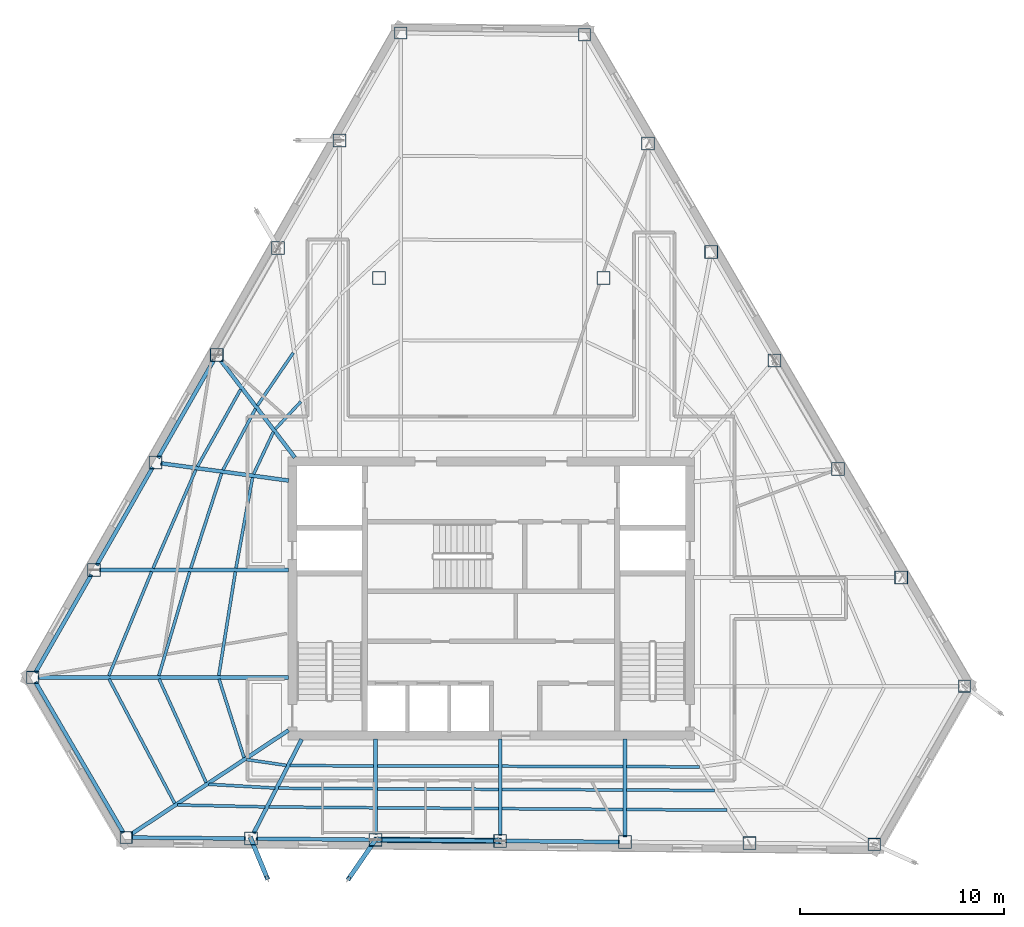
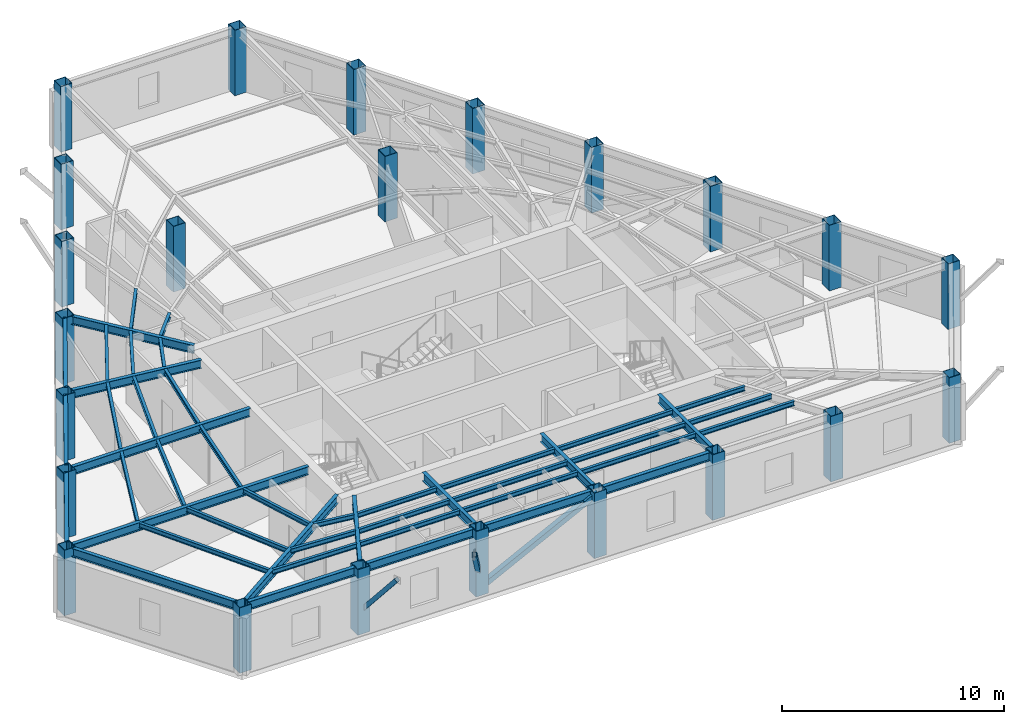
# One storey, part 1 of 10: 46 beams, 23 columns, 3 members.
"""IFC4 building model written with IfcOpenShell, lengths in metres."""

from ifc_helpers import new_model, si_unit, direction, frame, origin, origin_2d, place, context, subcontext, project, spatial, hollow_rectangle, i_section, extrude, material, material_profile, profile_set, type_object, element, save


model = new_model("IFC4")

# Units and contexts
model_context = context("Model", 3, precision=1e-05, world=origin(), true_north=direction((0.0, 1.0)))
body_context = subcontext(model_context, "Body", "Model", "MODEL_VIEW")
ifc_project = project(units=[si_unit("LENGTHUNIT", "METRE"), si_unit("AREAUNIT", "SQUARE_METRE"), si_unit("VOLUMEUNIT", "CUBIC_METRE"), si_unit("PLANEANGLEUNIT", "RADIAN"), si_unit("MASSUNIT", "GRAM", prefix="KILO")], contexts=[model_context])

# Site, building, storey
site_placement = place(None, origin())
site = spatial("IfcSite", under=ifc_project, at=site_placement, CompositionType="ELEMENT")
building_placement = place(site_placement, origin())
building = spatial("IfcBuilding", under=site, at=building_placement, Name="Kavelnor Concourse Tower", CompositionType="ELEMENT")
storey_placement = place(building_placement, frame((0.0, 0.0, 188.10009765625)))
storey = spatial("IfcBuildingStorey", under=building, at=storey_placement, Name="L47", CompositionType="ELEMENT", Elevation=188.10009765625)

# Columns
ifc_material = material(Name="Steel Grade 350", Category="steel")
ifc_material_profile_1 = material_profile(ifc_material, hollow_rectangle(XDim=0.60009765625, YDim=0.60009765625, WallThickness=0.028076171875, at=origin_2d()), Name="SHS 600x600x28")
ifc_profile_set_1 = profile_set([ifc_material_profile_1], Name="Steel Grade 350")
column_type_1 = type_object("IfcColumnType", Name="COL-FOLD-Z3", PredefinedType="COLUMN", material=ifc_profile_set_1)
for number, where, z_axis, x_axis, name in (
    (1, (33.572265625, 43.81005859375, 0.0), (0.0, 0.0, 1.0), (1.0, 0.0, 0.0), "L47 Perimeter Corner-Fold Column F0-B0"),
    (2, (15.53515625, 12.23291015625, 0.0), (0.0, 0.0, 1.0), (1.0, 0.0, 0.0), "L47 Perimeter Corner-Fold Column F0-B6"),
    (3, (20.11474609375, 4.38330078125, 0.0), (0.0, 0.0, 1.0), (1.0, 0.0, 0.0), "L47 Perimeter Corner-Fold Column F1-B0"),
    (4, (56.77978515625, 4.04736328125, 0.0), (0.0, 0.0, 1.0), (1.0, 0.0, 0.0), "L47 Perimeter Corner-Fold Column F1-B6"),
    (5, (61.207763671875, 11.799072265625, 0.0), (0.0, 0.0, 1.0), (1.0, 0.0, 0.0), "L47 Perimeter Corner-Fold Column F2-B0"),
    (6, (42.57958984375, 43.727294921875, 0.0), (0.0, 0.0, 1.0), (1.0, 0.0, 0.0), "L47 Perimeter Corner-Fold Column F2-B6"),
):
    element("IfcColumn", number, at=place(storey_placement, frame(where, z_axis=z_axis, x_axis=x_axis)), inside=storey, type_object=column_type_1, Name=name, PredefinedType="COLUMN", context=body_context, shape_type="SweptSolid", body=[
        extrude(hollow_rectangle(XDim=0.60009765625, YDim=0.60009765625, WallThickness=0.028076171875, at=origin_2d()), origin(), (0.0, 0.0, 1.0), 3.599853515625),
    ])
ifc_material_profile_2 = material_profile(ifc_material, hollow_rectangle(XDim=0.639892578125, YDim=0.639892578125, WallThickness=0.028076171875, at=origin_2d()), Name="SHS 640x640x28")
ifc_profile_set_2 = profile_set([ifc_material_profile_2], Name="Steel Grade 350")
column_type_2 = type_object("IfcColumnType", Name="COL-TUBE-Z3", PredefinedType="COLUMN", material=ifc_profile_set_2)
for number, where, z_axis, x_axis, name in (
    (7, (30.56591796875, 38.547119140625, 0.0), (0.0, 0.0, 1.0), (1.0, 0.0, 0.0), "L47 Perimeter Framed-Tube Column F0-B1"),
    (8, (27.559814453125, 33.2841796875, 0.0), (0.0, 0.0, 1.0), (1.0, 0.0, 0.0), "L47 Perimeter Framed-Tube Column F0-B2"),
    (9, (24.5537109375, 28.021484375, 0.0), (0.0, 0.0, 1.0), (1.0, 0.0, 0.0), "L47 Perimeter Framed-Tube Column F0-B3"),
    (10, (21.547607421875, 22.758544921875, 0.0), (0.0, 0.0, 1.0), (1.0, 0.0, 0.0), "L47 Perimeter Framed-Tube Column F0-B4"),
    (11, (18.54150390625, 17.495849609375, 0.0), (0.0, 0.0, 1.0), (1.0, 0.0, 0.0), "L47 Perimeter Framed-Tube Column F0-B5"),
    (12, (26.2255859375, 4.327392578125, 0.0), (0.0, 0.0, 1.0), (1.0, 0.0, 0.0), "L47 Perimeter Framed-Tube Column F1-B1"),
    (13, (32.33642578125, 4.271484375, 0.0), (0.0, 0.0, 1.0), (1.0, 0.0, 0.0), "L47 Perimeter Framed-Tube Column F1-B2"),
    (14, (38.447509765625, 4.21533203125, 0.0), (0.0, 0.0, 1.0), (1.0, 0.0, 0.0), "L47 Perimeter Framed-Tube Column F1-B3"),
    (15, (44.55810546875, 4.1591796875, 0.0), (0.0, 0.0, 1.0), (1.0, 0.0, 0.0), "L47 Perimeter Framed-Tube Column F1-B4"),
    (16, (50.6689453125, 4.103271484375, 0.0), (0.0, 0.0, 1.0), (1.0, 0.0, 0.0), "L47 Perimeter Framed-Tube Column F1-B5"),
    (17, (58.10302734375, 17.120361328125, 0.0), (0.0, 0.0, 1.0), (1.0, 0.0, 0.0), "L47 Perimeter Framed-Tube Column F2-B1"),
    (18, (54.998291015625, 22.44189453125, 0.0), (0.0, 0.0, 1.0), (1.0, 0.0, 0.0), "L47 Perimeter Framed-Tube Column F2-B2"),
    (19, (51.893798828125, 27.76318359375, 0.0), (0.0, 0.0, 1.0), (1.0, 0.0, 0.0), "L47 Perimeter Framed-Tube Column F2-B3"),
    (20, (48.7890625, 33.084716796875, 0.0), (0.0, 0.0, 1.0), (1.0, 0.0, 0.0), "L47 Perimeter Framed-Tube Column F2-B4"),
    (21, (45.684326171875, 38.406005859375, 0.0), (0.0, 0.0, 1.0), (1.0, 0.0, 0.0), "L47 Perimeter Framed-Tube Column F2-B5"),
    (22, (32.5, 31.800048828125, 0.0), (0.0, 0.0, 1.0), (1.0, 0.0, 0.0), "L47 North Interior Gravity Column BC-NW"),
    (23, (43.5, 31.800048828125, 0.0), (0.0, 0.0, 1.0), (1.0, 0.0, 0.0), "L47 North Interior Gravity Column BC-NE"),
):
    element("IfcColumn", number, at=place(storey_placement, frame(where, z_axis=z_axis, x_axis=x_axis)), inside=storey, type_object=column_type_2, Name=name, PredefinedType="COLUMN", context=body_context, shape_type="SweptSolid", body=[
        extrude(hollow_rectangle(XDim=0.639892578125, YDim=0.639892578125, WallThickness=0.028076171875, at=origin_2d()), origin(), (0.0, 0.0, 1.0), 3.599853515625),
    ])

# Beams
ifc_material_profile_3 = material_profile(ifc_material, i_section(OverallWidth=0.14599609375, OverallDepth=0.256103515625, WebThickness=0.00634765625, FlangeThickness=0.010986328125, at=origin_2d()), Name="250UB37")
ifc_profile_set_3 = profile_set([ifc_material_profile_3], Name="Steel Grade 350")
beam_type_1 = type_object("IfcBeamType", Name="BM-JOIST-250", PredefinedType="JOIST", material=ifc_profile_set_3)
beam_1_placement = place(storey_placement, frame((24.667236328125, 12.148193359375, 3.471923828125), z_axis=(0.303430728848, -0.952853500173, 0.0), x_axis=(0.952853500173, 0.303430728848, 0.0)))
element("IfcBeam", 24, at=beam_1_placement, inside=storey, type_object=beam_type_1, Name="L47 Secondary Composite Joist 01-1", PredefinedType="JOIST", context=body_context, shape_type="SweptSolid", body=[
    extrude(i_section(OverallWidth=0.14599609375, OverallDepth=0.256103515625, WebThickness=0.00634765625, FlangeThickness=0.010986328125, at=origin_2d()), origin(), (0.0, 0.0, 1.0), 4.038330078125),
])
beam_2_placement = place(storey_placement, frame((21.728759765625, 12.15185546875, 3.471923828125), z_axis=(0.414027324102, -0.910264453275, 0.0), x_axis=(0.910264453275, 0.414027324102, 0.0)))
element("IfcBeam", 25, at=beam_2_placement, inside=storey, type_object=beam_type_1, Name="L47 Secondary Composite Joist 01-2", PredefinedType="JOIST", context=body_context, shape_type="SweptSolid", body=[
    extrude(i_section(OverallWidth=0.14599609375, OverallDepth=0.256103515625, WebThickness=0.00634765625, FlangeThickness=0.010986328125, at=origin_2d()), origin(), (0.0, 0.0, 1.0), 5.57421875),
])
beam_3_placement = place(storey_placement, frame((19.276611328125, 12.154296875, 3.471923828125), z_axis=(0.466816344471, -0.884354284512, 0.0), x_axis=(0.884354284512, 0.466816344471, 0.0)))
element("IfcBeam", 26, at=beam_3_placement, inside=storey, type_object=beam_type_1, Name="L47 Secondary Composite Joist 01-3", PredefinedType="JOIST", context=body_context, shape_type="SweptSolid", body=[
    extrude(i_section(OverallWidth=0.14599609375, OverallDepth=0.256103515625, WebThickness=0.00634765625, FlangeThickness=0.010986328125, at=origin_2d()), origin(), (0.0, 0.0, 1.0), 6.891357421875),
])
beam_4_placement = place(storey_placement, frame((26.0078125, 8.202880859375, 3.471923828125), z_axis=(0.989673790529, -0.143338021263, 0.0), x_axis=(0.143338021263, 0.989673790529, 0.0)))
element("IfcBeam", 27, at=beam_4_placement, inside=storey, type_object=beam_type_1, Name="L47 Secondary Composite Joist 02-1", PredefinedType="JOIST", context=body_context, shape_type="SweptSolid", body=[
    extrude(i_section(OverallWidth=0.14599609375, OverallDepth=0.256103515625, WebThickness=0.00634765625, FlangeThickness=0.010986328125, at=origin_2d()), origin(), (0.0, 0.0, 1.0), 1.979248046875),
])
beam_5_placement = place(storey_placement, frame((24.162353515625, 6.99169921875, 3.471923828125), z_axis=(0.998371579355, -0.057045504082, 0.0), x_axis=(0.057045504082, 0.998371579355, 0.0)))
element("IfcBeam", 28, at=beam_5_placement, inside=storey, type_object=beam_type_1, Name="L47 Secondary Composite Joist 02-2", PredefinedType="JOIST", context=body_context, shape_type="SweptSolid", body=[
    extrude(i_section(OverallWidth=0.14599609375, OverallDepth=0.256103515625, WebThickness=0.00634765625, FlangeThickness=0.010986328125, at=origin_2d()), origin(), (0.0, 0.0, 1.0), 3.244140625),
])
beam_6_placement = place(storey_placement, frame((22.6240234375, 5.979248046875, 3.471923828125), z_axis=(0.999749358505, -0.02238794697, 0.0), x_axis=(0.02238794697, 0.999749358505, 0.0)))
element("IfcBeam", 29, at=beam_6_placement, inside=storey, type_object=beam_type_1, Name="L47 Secondary Composite Joist 02-3", PredefinedType="JOIST", context=body_context, shape_type="SweptSolid", body=[
    extrude(i_section(OverallWidth=0.14599609375, OverallDepth=0.256103515625, WebThickness=0.00634765625, FlangeThickness=0.010986328125, at=origin_2d()), origin(), (0.0, 0.0, 1.0), 4.307373046875),
])
beam_7_placement = place(storey_placement, frame((28.1435546875, 7.90625, 3.471923828125), z_axis=(0.999994840368, -0.003212357012, 0.0), x_axis=(0.003212357012, 0.999994840368, 0.0)))
element("IfcBeam", 30, at=beam_7_placement, inside=storey, type_object=beam_type_1, Name="L47 Secondary Composite Joist 03-1", PredefinedType="JOIST", context=body_context, shape_type="SweptSolid", body=[
    extrude(i_section(OverallWidth=0.14599609375, OverallDepth=0.256103515625, WebThickness=0.00634765625, FlangeThickness=0.010986328125, at=origin_2d()), origin(), (0.0, 0.0, 1.0), 4.10400390625),
])
beam_8_placement = place(storey_placement, frame((27.5791015625, 6.801025390625, 3.471923828125), z_axis=(0.999981916301, -0.006013906515, 0.0), x_axis=(0.006013906515, 0.999981916301, 0.0)))
element("IfcBeam", 31, at=beam_8_placement, inside=storey, type_object=beam_type_1, Name="L47 Secondary Composite Joist 03-2", PredefinedType="JOIST", context=body_context, shape_type="SweptSolid", body=[
    extrude(i_section(OverallWidth=0.14599609375, OverallDepth=0.256103515625, WebThickness=0.00634765625, FlangeThickness=0.010986328125, at=origin_2d()), origin(), (0.0, 0.0, 1.0), 4.66845703125),
])
beam_9_placement = place(storey_placement, frame((27.1083984375, 5.880126953125, 3.471923828125), z_axis=(0.99996853134, -0.00793324203, 0.0), x_axis=(0.00793324203, 0.99996853134, 0.0)))
element("IfcBeam", 32, at=beam_9_placement, inside=storey, type_object=beam_type_1, Name="L47 Secondary Composite Joist 03-3", PredefinedType="JOIST", context=body_context, shape_type="SweptSolid", body=[
    extrude(i_section(OverallWidth=0.14599609375, OverallDepth=0.256103515625, WebThickness=0.00634765625, FlangeThickness=0.010986328125, at=origin_2d()), origin(), (0.0, 0.0, 1.0), 5.139404296875),
])
for number, where, z_axis, x_axis, name in (
    (33, (32.425537109375, 7.892578125, 3.471923828125), (0.999996639525, -0.002592477194, 0.0), (0.002592477194, 0.999996639525, 0.0), "L47 Secondary Composite Joist 04-1"),
    (34, (32.425537109375, 6.77197265625, 3.471923828125), (0.999988607205, -0.004773411729, 0.0), (0.004773411729, 0.999988607205, 0.0), "L47 Secondary Composite Joist 04-2"),
):
    element("IfcBeam", number, at=place(storey_placement, frame(where, z_axis=z_axis, x_axis=x_axis)), inside=storey, type_object=beam_type_1, Name=name, PredefinedType="JOIST", context=body_context, shape_type="SweptSolid", body=[
        extrude(i_section(OverallWidth=0.14599609375, OverallDepth=0.256103515625, WebThickness=0.00634765625, FlangeThickness=0.010986328125, at=origin_2d()), origin(), (0.0, 0.0, 1.0), 5.932861328125),
    ])
beam_10_placement = place(storey_placement, frame((32.425537109375, 5.837890625, 3.471923828125), z_axis=(0.999978325576, -0.006583948483, 0.0), x_axis=(0.006583948483, 0.999978325576, 0.0)))
element("IfcBeam", 35, at=beam_10_placement, inside=storey, type_object=beam_type_1, Name="L47 Secondary Composite Joist 04-3", PredefinedType="JOIST", context=body_context, shape_type="SweptSolid", body=[
    extrude(i_section(OverallWidth=0.14599609375, OverallDepth=0.256103515625, WebThickness=0.00634765625, FlangeThickness=0.010986328125, at=origin_2d()), origin(), (0.0, 0.0, 1.0), 5.93310546875),
])
for number, where, z_axis, x_axis, name in (
    (36, (38.536376953125, 7.876953125, 3.471923828125), (0.999996639525, -0.002592477194, 0.0), (0.002592477194, 0.999996639525, 0.0), "L47 Secondary Composite Joist 05-1"),
    (37, (38.536376953125, 6.74267578125, 3.471923828125), (0.999988802783, -0.004732262554, 0.0), (0.004732262554, 0.999988802783, 0.0), "L47 Secondary Composite Joist 05-2"),
):
    element("IfcBeam", number, at=place(storey_placement, frame(where, z_axis=z_axis, x_axis=x_axis)), inside=storey, type_object=beam_type_1, Name=name, PredefinedType="JOIST", context=body_context, shape_type="SweptSolid", body=[
        extrude(i_section(OverallWidth=0.14599609375, OverallDepth=0.256103515625, WebThickness=0.00634765625, FlangeThickness=0.010986328125, at=origin_2d()), origin(), (0.0, 0.0, 1.0), 5.932861328125),
    ])
beam_11_placement = place(storey_placement, frame((38.536376953125, 5.797607421875, 3.471923828125), z_axis=(0.999978325576, -0.006583948483, 0.0), x_axis=(0.006583948483, 0.999978325576, 0.0)))
element("IfcBeam", 38, at=beam_11_placement, inside=storey, type_object=beam_type_1, Name="L47 Secondary Composite Joist 05-3", PredefinedType="JOIST", context=body_context, shape_type="SweptSolid", body=[
    extrude(i_section(OverallWidth=0.14599609375, OverallDepth=0.256103515625, WebThickness=0.00634765625, FlangeThickness=0.010986328125, at=origin_2d()), origin(), (0.0, 0.0, 1.0), 5.93310546875),
])
beam_12_placement = place(storey_placement, frame((44.647216796875, 7.861083984375, 3.471923828125), z_axis=(0.999987848666, -0.004929758651, 0.0), x_axis=(0.004929758651, 0.999987848666, 0.0)))
element("IfcBeam", 39, at=beam_12_placement, inside=storey, type_object=beam_type_1, Name="L47 Secondary Composite Joist 06-1", PredefinedType="JOIST", context=body_context, shape_type="SweptSolid", body=[
    extrude(i_section(OverallWidth=0.14599609375, OverallDepth=0.256103515625, WebThickness=0.00634765625, FlangeThickness=0.010986328125, at=origin_2d()), origin(), (0.0, 0.0, 1.0), 3.565673828125),
])
beam_13_placement = place(storey_placement, frame((44.647216796875, 6.71337890625, 3.471923828125), z_axis=(0.999979405903, -0.0064177698, 0.0), x_axis=(0.0064177698, 0.999979405903, 0.0)))
element("IfcBeam", 40, at=beam_13_placement, inside=storey, type_object=beam_type_1, Name="L47 Secondary Composite Joist 06-2", PredefinedType="JOIST", context=body_context, shape_type="SweptSolid", body=[
    extrude(i_section(OverallWidth=0.14599609375, OverallDepth=0.256103515625, WebThickness=0.00634765625, FlangeThickness=0.010986328125, at=origin_2d()), origin(), (0.0, 0.0, 1.0), 4.298583984375),
])
beam_14_placement = place(storey_placement, frame((44.647216796875, 5.757080078125, 3.471923828125), z_axis=(0.999972914426, -0.007360055268, 0.0), x_axis=(0.007360055268, 0.999972914426, 0.0)))
element("IfcBeam", 41, at=beam_14_placement, inside=storey, type_object=beam_type_1, Name="L47 Secondary Composite Joist 06-3", PredefinedType="JOIST", context=body_context, shape_type="SweptSolid", body=[
    extrude(i_section(OverallWidth=0.14599609375, OverallDepth=0.256103515625, WebThickness=0.00634765625, FlangeThickness=0.010986328125, at=origin_2d()), origin(), (0.0, 0.0, 1.0), 4.909423828125),
])
beam_15_placement = place(storey_placement, frame((28.674072265625, 25.741943359375, 3.471923828125), z_axis=(-0.681167142073, -0.732127942753, 0.0), x_axis=(0.732127942753, -0.681167142073, 0.0)))
element("IfcBeam", 42, at=beam_15_placement, inside=storey, type_object=beam_type_1, Name="L47 Secondary Composite Joist 18-1", PredefinedType="JOIST", context=body_context, shape_type="SweptSolid", body=[
    extrude(i_section(OverallWidth=0.14599609375, OverallDepth=0.256103515625, WebThickness=0.00634765625, FlangeThickness=0.010986328125, at=origin_2d()), origin(), (0.0, 0.0, 1.0), 1.830078125),
])
beam_16_placement = place(storey_placement, frame((28.306640625, 28.138916015625, 3.471923828125), z_axis=(-0.561949486016, -0.827171551231, 0.0), x_axis=(0.827171551231, -0.561949486016, 0.0)))
element("IfcBeam", 43, at=beam_16_placement, inside=storey, type_object=beam_type_1, Name="L47 Secondary Composite Joist 18-2", PredefinedType="JOIST", context=body_context, shape_type="SweptSolid", body=[
    extrude(i_section(OverallWidth=0.14599609375, OverallDepth=0.256103515625, WebThickness=0.00634765625, FlangeThickness=0.010986328125, at=origin_2d()), origin(), (0.0, 0.0, 1.0), 3.130615234375),
])
beam_17_placement = place(storey_placement, frame((27.3291015625, 24.25634765625, 3.471923828125), z_axis=(-0.42474406408, -0.905313470588, 0.0), x_axis=(0.905313470588, -0.42474406408, 0.0)))
element("IfcBeam", 44, at=beam_17_placement, inside=storey, type_object=beam_type_1, Name="L47 Secondary Composite Joist 19-1", PredefinedType="JOIST", context=body_context, shape_type="SweptSolid", body=[
    extrude(i_section(OverallWidth=0.14599609375, OverallDepth=0.256103515625, WebThickness=0.00634765625, FlangeThickness=0.010986328125, at=origin_2d()), origin(), (0.0, 0.0, 1.0), 2.278564453125),
])
beam_18_placement = place(storey_placement, frame((26.45556640625, 25.397216796875, 3.471923828125), z_axis=(-0.46927948081, -0.88304969786, 0.0), x_axis=(0.88304969786, -0.46927948081, 0.0)))
element("IfcBeam", 45, at=beam_18_placement, inside=storey, type_object=beam_type_1, Name="L47 Secondary Composite Joist 19-2", PredefinedType="JOIST", context=body_context, shape_type="SweptSolid", body=[
    extrude(i_section(OverallWidth=0.14599609375, OverallDepth=0.256103515625, WebThickness=0.00634765625, FlangeThickness=0.010986328125, at=origin_2d()), origin(), (0.0, 0.0, 1.0), 3.39990234375),
])
beam_19_placement = place(storey_placement, frame((25.729248046875, 26.346923828125, 3.471923828125), z_axis=(-0.489170569089, -0.872188141594, 0.0), x_axis=(0.872188141594, -0.489170569089, 0.0)))
element("IfcBeam", 46, at=beam_19_placement, inside=storey, type_object=beam_type_1, Name="L47 Secondary Composite Joist 19-3", PredefinedType="JOIST", context=body_context, shape_type="SweptSolid", body=[
    extrude(i_section(OverallWidth=0.14599609375, OverallDepth=0.256103515625, WebThickness=0.00634765625, FlangeThickness=0.010986328125, at=origin_2d()), origin(), (0.0, 0.0, 1.0), 4.337646484375),
])
beam_20_placement = place(storey_placement, frame((26.3076171875, 22.025390625, 3.471923828125), z_axis=(-0.179304158852, -0.983793687019, 0.0), x_axis=(0.983793687019, -0.179304158852, 0.0)))
element("IfcBeam", 47, at=beam_20_placement, inside=storey, type_object=beam_type_1, Name="L47 Secondary Composite Joist 20-1", PredefinedType="JOIST", context=body_context, shape_type="SweptSolid", body=[
    extrude(i_section(OverallWidth=0.14599609375, OverallDepth=0.256103515625, WebThickness=0.00634765625, FlangeThickness=0.010986328125, at=origin_2d()), origin(), (0.0, 0.0, 1.0), 4.51513671875),
])
beam_21_placement = place(storey_placement, frame((24.791015625, 22.231689453125, 3.471923828125), z_axis=(-0.308472950673, -0.951233114806, 0.0), x_axis=(0.951233114806, -0.308472950673, 0.0)))
element("IfcBeam", 48, at=beam_21_placement, inside=storey, type_object=beam_type_1, Name="L47 Secondary Composite Joist 20-2", PredefinedType="JOIST", context=body_context, shape_type="SweptSolid", body=[
    extrude(i_section(OverallWidth=0.14599609375, OverallDepth=0.256103515625, WebThickness=0.00634765625, FlangeThickness=0.010986328125, at=origin_2d()), origin(), (0.0, 0.0, 1.0), 4.8896484375),
])
beam_22_placement = place(storey_placement, frame((23.528564453125, 22.404296875, 3.471923828125), z_axis=(-0.397942077318, -0.917410542287, 0.0), x_axis=(0.917410542287, -0.397942077318, 0.0)))
element("IfcBeam", 49, at=beam_22_placement, inside=storey, type_object=beam_type_1, Name="L47 Secondary Composite Joist 20-3", PredefinedType="JOIST", context=body_context, shape_type="SweptSolid", body=[
    extrude(i_section(OverallWidth=0.14599609375, OverallDepth=0.256103515625, WebThickness=0.00634765625, FlangeThickness=0.010986328125, at=origin_2d()), origin(), (0.0, 0.0, 1.0), 5.261474609375),
])
beam_23_placement = place(storey_placement, frame((25.468017578125, 17.407958984375, 3.471923828125), z_axis=(-0.157947991205, -0.987447432563, 0.0), x_axis=(0.987447432563, -0.157947991205, 0.0)))
element("IfcBeam", 50, at=beam_23_placement, inside=storey, type_object=beam_type_1, Name="L47 Secondary Composite Joist 21-1", PredefinedType="JOIST", context=body_context, shape_type="SweptSolid", body=[
    extrude(i_section(OverallWidth=0.14599609375, OverallDepth=0.256103515625, WebThickness=0.00634765625, FlangeThickness=0.010986328125, at=origin_2d()), origin(), (0.0, 0.0, 1.0), 5.15185546875),
])
beam_24_placement = place(storey_placement, frame((23.229736328125, 17.410400390625, 3.471923828125), z_axis=(-0.284715756442, -0.958611985129, 0.0), x_axis=(0.958611985129, -0.284715756442, 0.0)))
element("IfcBeam", 51, at=beam_24_placement, inside=storey, type_object=beam_type_1, Name="L47 Secondary Composite Joist 21-2", PredefinedType="JOIST", context=body_context, shape_type="SweptSolid", body=[
    extrude(i_section(OverallWidth=0.14599609375, OverallDepth=0.256103515625, WebThickness=0.00634765625, FlangeThickness=0.010986328125, at=origin_2d()), origin(), (0.0, 0.0, 1.0), 5.312255859375),
])
beam_25_placement = place(storey_placement, frame((21.365478515625, 17.41357421875, 3.471923828125), z_axis=(-0.380337687694, -0.924847686552, 0.0), x_axis=(0.924847686552, -0.380337687694, 0.0)))
element("IfcBeam", 52, at=beam_25_placement, inside=storey, type_object=beam_type_1, Name="L47 Secondary Composite Joist 21-3", PredefinedType="JOIST", context=body_context, shape_type="SweptSolid", body=[
    extrude(i_section(OverallWidth=0.14599609375, OverallDepth=0.256103515625, WebThickness=0.00634765625, FlangeThickness=0.010986328125, at=origin_2d()), origin(), (0.0, 0.0, 1.0), 5.5126953125),
])
ifc_material_profile_4 = material_profile(ifc_material, i_section(OverallWidth=0.18994140625, OverallDepth=0.4541015625, WebThickness=0.008544921875, FlangeThickness=0.0126953125, at=origin_2d()), Name="460UB67")
ifc_profile_set_4 = profile_set([ifc_material_profile_4], Name="Steel Grade 350")
beam_type_2 = type_object("IfcBeamType", Name="BM-PRIMARY-460", PredefinedType="BEAM", material=ifc_profile_set_4)
beam_26_placement = place(storey_placement, frame((28.381103515625, 23.00830078125, 3.372802734375), z_axis=(-0.606809330939, 0.794847429313, 0.0), x_axis=(-0.794847429313, -0.606809330939, 0.0)))
element("IfcBeam", 53, at=beam_26_placement, inside=storey, type_object=beam_type_2, Name="L47 Primary Floor Girder F0-B3", PredefinedType="BEAM", context=body_context, shape_type="SweptSolid", body=[
    extrude(i_section(OverallWidth=0.18994140625, OverallDepth=0.4541015625, WebThickness=0.008544921875, FlangeThickness=0.0126953125, at=origin_2d()), origin(), (0.0, 0.0, 1.0), 5.9697265625),
])
beam_27_placement = place(storey_placement, frame((28.07958984375, 21.875732421875, 3.372802734375), z_axis=(-0.990989801266, 0.133937350228, 0.0), x_axis=(-0.133937350228, -0.990989801266, 0.0)))
element("IfcBeam", 54, at=beam_27_placement, inside=storey, type_object=beam_type_2, Name="L47 Primary Floor Girder F0-B4", PredefinedType="BEAM", context=body_context, shape_type="SweptSolid", body=[
    extrude(i_section(OverallWidth=0.18994140625, OverallDepth=0.4541015625, WebThickness=0.008544921875, FlangeThickness=0.0126953125, at=origin_2d()), origin(), (0.0, 0.0, 1.0), 6.328857421875),
])
beam_28_placement = place(storey_placement, frame((28.080078125, 17.495849609375, 3.372802734375), z_axis=(-1.0, 0.0, 0.0), x_axis=(0.0, -1.0, 0.0)))
element("IfcBeam", 55, at=beam_28_placement, inside=storey, type_object=beam_type_2, Name="L47 Primary Floor Girder F0-B5", PredefinedType="BEAM", context=body_context, shape_type="SweptSolid", body=[
    extrude(i_section(OverallWidth=0.18994140625, OverallDepth=0.4541015625, WebThickness=0.008544921875, FlangeThickness=0.0126953125, at=origin_2d()), origin(), (0.0, 0.0, 1.0), 9.278564453125),
])
beam_29_placement = place(storey_placement, frame((28.080078125, 12.23291015625, 3.372802734375), z_axis=(-1.0, 0.0, 0.0), x_axis=(0.0, -1.0, 0.0)))
element("IfcBeam", 56, at=beam_29_placement, inside=storey, type_object=beam_type_2, Name="L47 Primary Floor Girder F0-B6", PredefinedType="BEAM", context=body_context, shape_type="SweptSolid", body=[
    extrude(i_section(OverallWidth=0.18994140625, OverallDepth=0.4541015625, WebThickness=0.008544921875, FlangeThickness=0.0126953125, at=origin_2d()), origin(), (0.0, 0.0, 1.0), 12.284912109375),
])
beam_30_placement = place(storey_placement, frame((28.073486328125, 9.637451171875, 3.372802734375), z_axis=(-0.834543886542, -0.550941468248, 0.0), x_axis=(0.550941468248, -0.834543886542, 0.0)))
element("IfcBeam", 57, at=beam_30_placement, inside=storey, type_object=beam_type_2, Name="L47 Primary Floor Girder F1-B0", PredefinedType="BEAM", context=body_context, shape_type="SweptSolid", body=[
    extrude(i_section(OverallWidth=0.18994140625, OverallDepth=0.4541015625, WebThickness=0.008544921875, FlangeThickness=0.0126953125, at=origin_2d()), origin(), (0.0, 0.0, 1.0), 9.21728515625),
])
beam_31_placement = place(storey_placement, frame((28.71337890625, 9.195556640625, 3.372802734375), z_axis=(-0.455072786725, -0.890454242947, 0.0), x_axis=(0.890454242947, -0.455072786725, 0.0)))
element("IfcBeam", 58, at=beam_31_placement, inside=storey, type_object=beam_type_2, Name="L47 Primary Floor Girder F1-B1", PredefinedType="BEAM", context=body_context, shape_type="SweptSolid", body=[
    extrude(i_section(OverallWidth=0.18994140625, OverallDepth=0.4541015625, WebThickness=0.008544921875, FlangeThickness=0.0126953125, at=origin_2d()), origin(), (0.0, 0.0, 1.0), 5.170166015625),
])
beam_32_placement = place(storey_placement, frame((32.33642578125, 9.199951171875, 3.372802734375), z_axis=(0.0, -1.0, 0.0), x_axis=(1.0, 0.0, 0.0)))
element("IfcBeam", 59, at=beam_32_placement, inside=storey, type_object=beam_type_2, Name="L47 Primary Floor Girder F1-B2", PredefinedType="BEAM", context=body_context, shape_type="SweptSolid", body=[
    extrude(i_section(OverallWidth=0.18994140625, OverallDepth=0.4541015625, WebThickness=0.008544921875, FlangeThickness=0.0126953125, at=origin_2d()), origin(), (0.0, 0.0, 1.0), 4.66845703125),
])
beam_33_placement = place(storey_placement, frame((38.447509765625, 9.199951171875, 3.372802734375), z_axis=(0.0, -1.0, 0.0), x_axis=(1.0, 0.0, 0.0)))
element("IfcBeam", 60, at=beam_33_placement, inside=storey, type_object=beam_type_2, Name="L47 Primary Floor Girder F1-B3", PredefinedType="BEAM", context=body_context, shape_type="SweptSolid", body=[
    extrude(i_section(OverallWidth=0.18994140625, OverallDepth=0.4541015625, WebThickness=0.008544921875, FlangeThickness=0.0126953125, at=origin_2d()), origin(), (0.0, 0.0, 1.0), 4.724609375),
])
beam_34_placement = place(storey_placement, frame((44.55810546875, 9.199951171875, 3.372802734375), z_axis=(0.0, -1.0, 0.0), x_axis=(1.0, 0.0, 0.0)))
element("IfcBeam", 61, at=beam_34_placement, inside=storey, type_object=beam_type_2, Name="L47 Primary Floor Girder F1-B4", PredefinedType="BEAM", context=body_context, shape_type="SweptSolid", body=[
    extrude(i_section(OverallWidth=0.18994140625, OverallDepth=0.4541015625, WebThickness=0.008544921875, FlangeThickness=0.0126953125, at=origin_2d()), origin(), (0.0, 0.0, 1.0), 4.78076171875),
])
ifc_material_profile_5 = material_profile(ifc_material, i_section(OverallWidth=0.19091796875, OverallDepth=0.4599609375, WebThickness=0.010009765625, FlangeThickness=0.01611328125, at=origin_2d()), Name="460UB82")
ifc_profile_set_5 = profile_set([ifc_material_profile_5], Name="Steel Grade 350")
beam_type_3 = type_object("IfcBeamType", Name="BM-SPANDREL-Z3", PredefinedType="SPANDREL", material=ifc_profile_set_5)
for number, where, z_axis, x_axis, name in (
    (62, (24.42236328125, 27.79150390625, 3.369873046875), (-0.496001079516, -0.868321904088, 0.0), (0.868321904088, -0.496001079516, 0.0), "L47 Perimeter Tube Spandrel Beam F0-B3"),
    (63, (21.416015625, 22.528564453125, 3.369873046875), (-0.495967797623, -0.868340914457, 0.0), (0.868340914457, -0.495967797623, 0.0), "L47 Perimeter Tube Spandrel Beam F0-B4"),
    (64, (18.409912109375, 17.265625, 3.369873046875), (-0.496001079516, -0.868321904088, 0.0), (0.868321904088, -0.496001079516, 0.0), "L47 Perimeter Tube Spandrel Beam F0-B5"),
):
    element("IfcBeam", number, at=place(storey_placement, frame(where, z_axis=z_axis, x_axis=x_axis)), inside=storey, type_object=beam_type_3, Name=name, PredefinedType="SPANDREL", context=body_context, shape_type="SweptSolid", body=[
        extrude(i_section(OverallWidth=0.19091796875, OverallDepth=0.4599609375, WebThickness=0.010009765625, FlangeThickness=0.01611328125, at=origin_2d()), origin(), (0.0, 0.0, 1.0), 5.531005859375),
    ])
beam_35_placement = place(storey_placement, frame((20.3798828125, 4.381103515625, 3.369873046875), z_axis=(0.99995780445, -0.009186365936, 0.0), x_axis=(0.009186365936, 0.99995780445, 0.0)))
element("IfcBeam", 65, at=beam_35_placement, inside=storey, type_object=beam_type_3, Name="L47 Perimeter Tube Spandrel Beam F1-B0", PredefinedType="SPANDREL", context=body_context, shape_type="SweptSolid", body=[
    extrude(i_section(OverallWidth=0.19091796875, OverallDepth=0.4599609375, WebThickness=0.010009765625, FlangeThickness=0.01611328125, at=origin_2d()), origin(), (0.0, 0.0, 1.0), 5.5810546875),
])
beam_36_placement = place(storey_placement, frame((26.490478515625, 4.324951171875, 3.369873046875), z_axis=(0.999957808142, -0.009185964117, 0.0), x_axis=(0.009185964117, 0.999957808142, 0.0)))
element("IfcBeam", 66, at=beam_36_placement, inside=storey, type_object=beam_type_3, Name="L47 Perimeter Tube Spandrel Beam F1-B1", PredefinedType="SPANDREL", context=body_context, shape_type="SweptSolid", body=[
    extrude(i_section(OverallWidth=0.19091796875, OverallDepth=0.4599609375, WebThickness=0.010009765625, FlangeThickness=0.01611328125, at=origin_2d()), origin(), (0.0, 0.0, 1.0), 5.581298828125),
])
for number, where, z_axis, x_axis, name in (
    (67, (32.6015625, 4.26904296875, 3.369873046875), (0.99995780445, -0.009186365936, 0.0), (0.009186365936, 0.99995780445, 0.0), "L47 Perimeter Tube Spandrel Beam F1-B2"),
    (68, (38.71240234375, 4.212890625, 3.369873046875), (0.99995780445, -0.009186365936, 0.0), (0.009186365936, 0.99995780445, 0.0), "L47 Perimeter Tube Spandrel Beam F1-B3"),
):
    element("IfcBeam", number, at=place(storey_placement, frame(where, z_axis=z_axis, x_axis=x_axis)), inside=storey, type_object=beam_type_3, Name=name, PredefinedType="SPANDREL", context=body_context, shape_type="SweptSolid", body=[
        extrude(i_section(OverallWidth=0.19091796875, OverallDepth=0.4599609375, WebThickness=0.010009765625, FlangeThickness=0.01611328125, at=origin_2d()), origin(), (0.0, 0.0, 1.0), 5.5810546875),
    ])
beam_37_placement = place(storey_placement, frame((15.668701171875, 12.00390625, 3.369873046875), z_axis=(0.503934881631, -0.863741648339, 0.0), x_axis=(0.863741648339, 0.503934881631, 0.0)))
element("IfcBeam", 69, at=beam_37_placement, inside=storey, type_object=beam_type_3, Name="L47 Chamfer Facet Spandrel Beam C1", PredefinedType="SPANDREL", context=body_context, shape_type="SweptSolid", body=[
    extrude(i_section(OverallWidth=0.19091796875, OverallDepth=0.4599609375, WebThickness=0.010009765625, FlangeThickness=0.01611328125, at=origin_2d()), origin(), (0.0, 0.0, 1.0), 8.5576171875),
])

# Members
ifc_material_profile_6 = material_profile(ifc_material, hollow_rectangle(XDim=0.219970703125, YDim=0.219970703125, WallThickness=0.013916015625, at=origin_2d()), Name="SHS 220x220x14")
ifc_profile_set_6 = profile_set([ifc_material_profile_6], Name="Steel Grade 350")
member_type_1 = type_object("IfcMemberType", Name="MBR-BALC-STRUT-220", PredefinedType="STRUT", material=ifc_profile_set_6)
member_1_placement = place(storey_placement, frame((26.2255859375, 4.327392578125, 1.0498046875), z_axis=(0.239416140151, -0.577174362321, 0.780736618403), x_axis=(0.923685515019, 0.383151496595, 0.0)))
element("IfcMember", 70, at=member_1_placement, inside=storey, type_object=member_type_1, Name="L47 Tree Balcony Raking Knee Strut 2-A", PredefinedType="STRUT", context=body_context, shape_type="SweptSolid", body=[
    extrude(hollow_rectangle(XDim=0.219970703125, YDim=0.219970703125, WallThickness=0.013916015625, at=origin_2d()), origin(), (0.0, 0.0, 1.0), 3.336669921875),
])
member_2_placement = place(storey_placement, frame((32.33642578125, 4.271484375, 1.0498046875), z_axis=(-0.376742571571, -0.546574618253, 0.747877811844), x_axis=(0.823357397164, -0.567523212331, 0.0)))
element("IfcMember", 71, at=member_2_placement, inside=storey, type_object=member_type_1, Name="L47 Tree Balcony Raking Knee Strut 2-B", PredefinedType="STRUT", context=body_context, shape_type="SweptSolid", body=[
    extrude(hollow_rectangle(XDim=0.219970703125, YDim=0.219970703125, WallThickness=0.013916015625, at=origin_2d()), origin(), (0.0, 0.0, 1.0), 3.483154296875),
])
ifc_material_profile_7 = material_profile(ifc_material, hollow_rectangle(XDim=0.280029296875, YDim=0.280029296875, WallThickness=0.01611328125, at=origin_2d()), Name="SHS 280x280x16")
ifc_profile_set_7 = profile_set([ifc_material_profile_7], Name="Steel Grade 350")
member_type_2 = type_object("IfcMemberType", Name="MBR-TUBE-DIAG-Z3", PredefinedType="BRACE", material=ifc_profile_set_7)
member_3_placement = place(storey_placement, frame((32.33642578125, 4.271484375, 0.219970703125), z_axis=(0.888840184844, -0.00816720237, 0.458144543361), x_axis=(0.009188218254, 0.999957787432, 0.0)))
element("IfcMember", 72, at=member_3_placement, inside=storey, type_object=member_type_2, Name="L47 Framed-Tube Bracing Diagonal F1-B2", PredefinedType="BRACE", context=body_context, shape_type="SweptSolid", body=[
    extrude(hollow_rectangle(XDim=0.280029296875, YDim=0.280029296875, WallThickness=0.01611328125, at=origin_2d()), origin(), (0.0, 0.0, 1.0), 6.875244140625),
])

save(model, "model.ifc")
